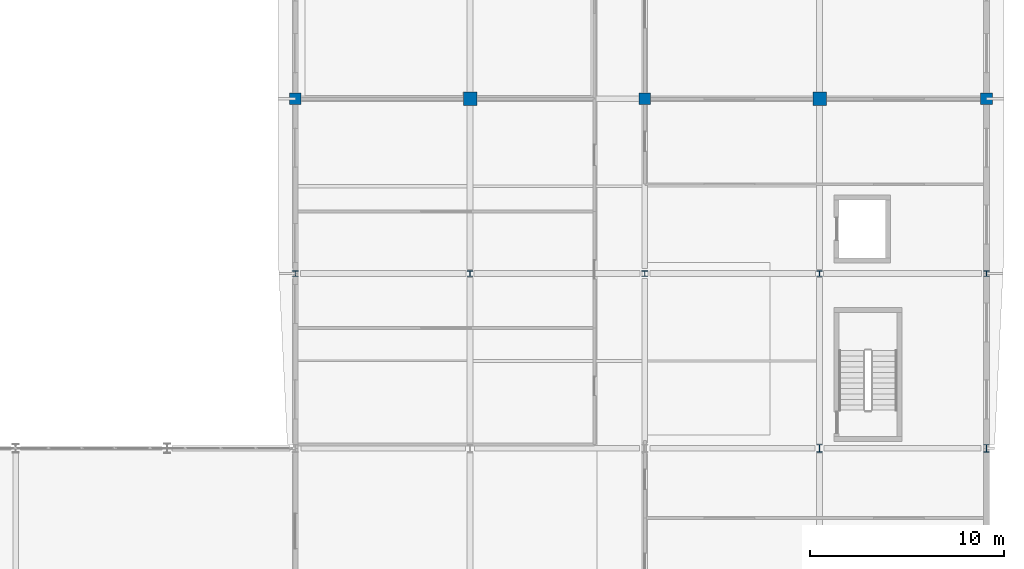
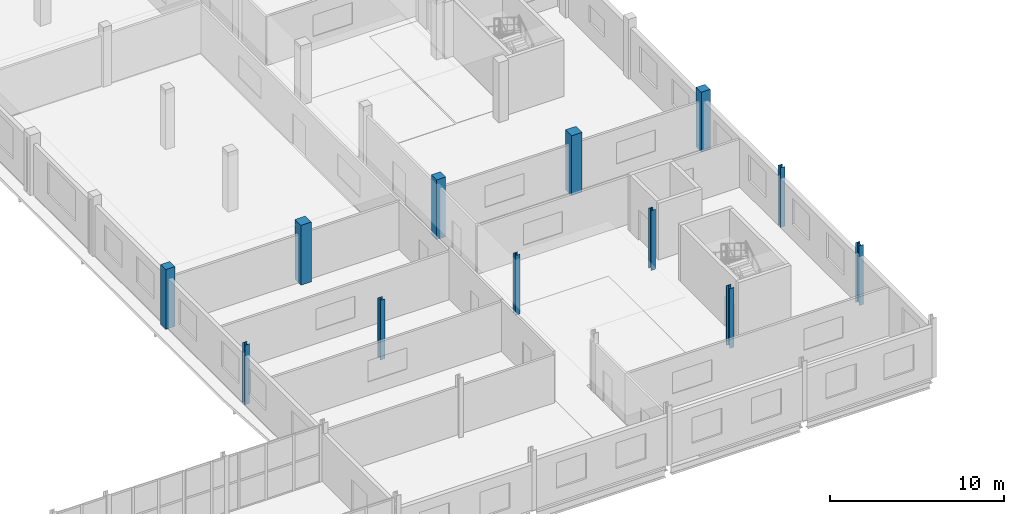
# One storey, part 20 of 121: 12 columns.
"""IFC4 building model written with IfcOpenShell, lengths in metres."""

from ifc_helpers import new_model, si_unit, direction, frame, origin, origin_2d, place, context, subcontext, project, spatial, rectangle, i_section, extrude, material, material_profile, profile_set, type_object, element, save


model = new_model("IFC4")

# Units and contexts
model_context = context("Model", 3, precision=1e-05, world=origin(), true_north=direction((0.0, 1.0)))
body_context = subcontext(model_context, "Body", "Model", "MODEL_VIEW")
ifc_project = project(units=[si_unit("LENGTHUNIT", "METRE"), si_unit("AREAUNIT", "SQUARE_METRE"), si_unit("VOLUMEUNIT", "CUBIC_METRE"), si_unit("PLANEANGLEUNIT", "RADIAN"), si_unit("MASSUNIT", "GRAM", prefix="KILO")], contexts=[model_context])

# Site, building, storey
site_placement = place(None, origin())
site = spatial("IfcSite", under=ifc_project, at=site_placement, CompositionType="ELEMENT")
building_placement = place(site_placement, origin())
building = spatial("IfcBuilding", under=site, at=building_placement, Name="Vinh Khe Railworks Police Headquarters", CompositionType="ELEMENT")
storey_placement = place(building_placement, frame((0.0, 0.0, 4.800048828125)))
storey = spatial("IfcBuildingStorey", under=building, at=storey_placement, Name="L01", CompositionType="ELEMENT", Elevation=4.800048828125)

# Columns
ifc_material_1 = material(Name="Concrete C40/50 (B40)", Category="concrete")
ifc_material_profile_1 = material_profile(ifc_material_1, rectangle(XDim=0.60009765625, YDim=0.60009765625, at=origin_2d()), Name="RC 600x600")
ifc_profile_set_1 = profile_set([ifc_material_profile_1], Name="Concrete C40/50 (B40)")
column_type_1 = type_object("IfcColumnType", Name="RC Column RC 600x600", PredefinedType="COLUMN", material=ifc_profile_set_1)
for number, where, z_axis, x_axis, name in (
    (1, (78.0, 122.39990234375, 0.0), (0.0, 0.0, 1.0), (1.0, 0.0, 0.0), "Column COL-L01-CC-05-1165"),
    (2, (96.0, 122.39990234375, 0.0), (0.0, 0.0, 1.0), (1.0, 0.0, 0.0), "Column COL-L01-CC-05-1287"),
    (3, (113.60009765625, 122.39990234375, 0.0), (0.0, 0.0, 1.0), (1.0, 0.0, 0.0), "Column COL-L01-CC-05-1409"),
):
    element("IfcColumn", number, at=place(storey_placement, frame(where, z_axis=z_axis, x_axis=x_axis)), inside=storey, type_object=column_type_1, Name=name, PredefinedType="COLUMN", context=body_context, shape_type="SweptSolid", body=[
        extrude(rectangle(XDim=0.60009765625, YDim=0.60009765625, at=origin_2d()), origin(), (0.0, 0.0, 1.0), 4.199951171875),
    ])
ifc_material_profile_2 = material_profile(ifc_material_1, rectangle(XDim=0.699951171875, YDim=0.699951171875, at=origin_2d()), Name="RC 700x700")
ifc_profile_set_2 = profile_set([ifc_material_profile_2], Name="Concrete C40/50 (B40)")
column_type_2 = type_object("IfcColumnType", Name="RC Column RC 700x700", PredefinedType="COLUMN", material=ifc_profile_set_2)
for number, where, z_axis, x_axis, name in (
    (4, (87.0, 122.39990234375, 0.0), (0.0, 0.0, 1.0), (1.0, 0.0, 0.0), "Column COL-L01-CC-03-1226"),
    (5, (105.0, 122.39990234375, 0.0), (0.0, 0.0, 1.0), (1.0, 0.0, 0.0), "Column COL-L01-CC-03-1348"),
):
    element("IfcColumn", number, at=place(storey_placement, frame(where, z_axis=z_axis, x_axis=x_axis)), inside=storey, type_object=column_type_2, Name=name, PredefinedType="COLUMN", context=body_context, shape_type="SweptSolid", body=[
        extrude(rectangle(XDim=0.699951171875, YDim=0.699951171875, at=origin_2d()), origin(), (0.0, 0.0, 1.0), 4.199951171875),
    ])
ifc_material_2 = material(Name="Steel S355JR", Category="steel")
ifc_material_profile_3 = material_profile(ifc_material_2, i_section(OverallWidth=0.300048828125, OverallDepth=0.389892578125, WebThickness=0.010986328125, FlangeThickness=0.01904296875, FilletRadius=0.027099609375, at=origin_2d()), Name="HEA 400")
ifc_profile_set_3 = profile_set([ifc_material_profile_3], Name="Steel S355JR")
column_type_3 = type_object("IfcColumnType", Name="Steel Column HEA 400", PredefinedType="COLUMN", material=ifc_profile_set_3)
for number, where, z_axis, x_axis, name in (
    (6, (105.0, 104.39990234375, 0.0), (0.0, 0.0, 1.0), (1.0, 0.0, 0.0), "Column COL-L01-SC-15-1340"),
    (7, (113.60009765625, 104.39990234375, 0.0), (0.0, 0.0, 1.0), (1.0, 0.0, 0.0), "Column COL-L01-SC-15-1401"),
):
    element("IfcColumn", number, at=place(storey_placement, frame(where, z_axis=z_axis, x_axis=x_axis)), inside=storey, type_object=column_type_3, Name=name, PredefinedType="COLUMN", context=body_context, shape_type="SweptSolid", body=[
        extrude(i_section(OverallWidth=0.300048828125, OverallDepth=0.389892578125, WebThickness=0.010986328125, FlangeThickness=0.01904296875, FilletRadius=0.027099609375, at=origin_2d()), origin(), (0.0, 0.0, 1.0), 4.199951171875),
    ])
ifc_material_profile_4 = material_profile(ifc_material_2, i_section(OverallWidth=0.300048828125, OverallDepth=0.300048828125, WebThickness=0.010986328125, FlangeThickness=0.01904296875, FilletRadius=0.027099609375, at=origin_2d()), Name="HEB 300")
ifc_profile_set_4 = profile_set([ifc_material_profile_4], Name="Steel S355JR")
column_type_4 = type_object("IfcColumnType", Name="Steel Column HEB 300", PredefinedType="COLUMN", material=ifc_profile_set_4)
for number, where, z_axis, x_axis, name in (
    (8, (78.0, 113.39990234375, 0.0), (0.0, 0.0, 1.0), (1.0, 0.0, 0.0), "Column COL-L01-SC-11-1161"),
    (9, (87.0, 113.39990234375, 0.0), (0.0, 0.0, 1.0), (1.0, 0.0, 0.0), "Column COL-L01-SC-11-1222"),
    (10, (96.0, 113.39990234375, 0.0), (0.0, 0.0, 1.0), (1.0, 0.0, 0.0), "Column COL-L01-SC-11-1283"),
    (11, (105.0, 113.39990234375, 0.0), (0.0, 0.0, 1.0), (1.0, 0.0, 0.0), "Column COL-L01-SC-11-1344"),
    (12, (113.60009765625, 113.39990234375, 0.0), (0.0, 0.0, 1.0), (1.0, 0.0, 0.0), "Column COL-L01-SC-11-1405"),
):
    element("IfcColumn", number, at=place(storey_placement, frame(where, z_axis=z_axis, x_axis=x_axis)), inside=storey, type_object=column_type_4, Name=name, PredefinedType="COLUMN", context=body_context, shape_type="SweptSolid", body=[
        extrude(i_section(OverallWidth=0.300048828125, OverallDepth=0.300048828125, WebThickness=0.010986328125, FlangeThickness=0.01904296875, FilletRadius=0.027099609375, at=origin_2d()), origin(), (0.0, 0.0, 1.0), 4.199951171875),
    ])

save(model, "model.ifc")
